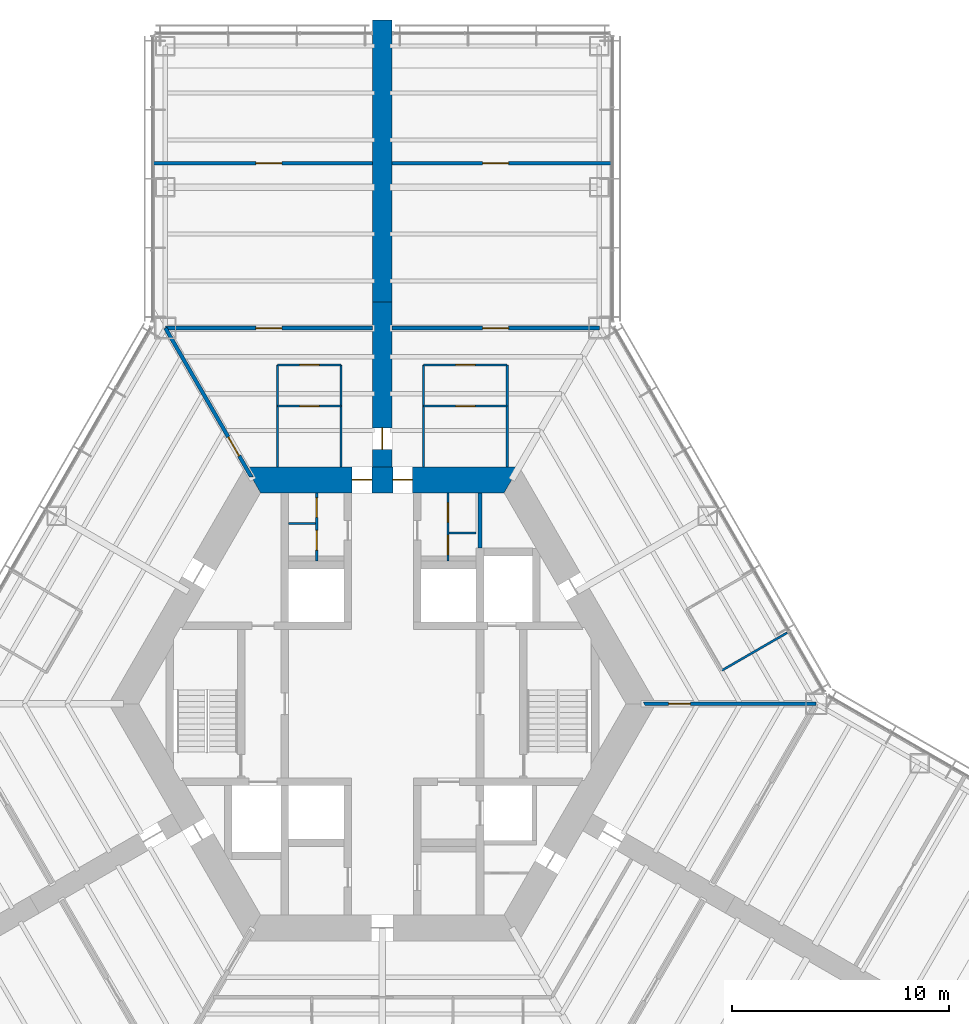
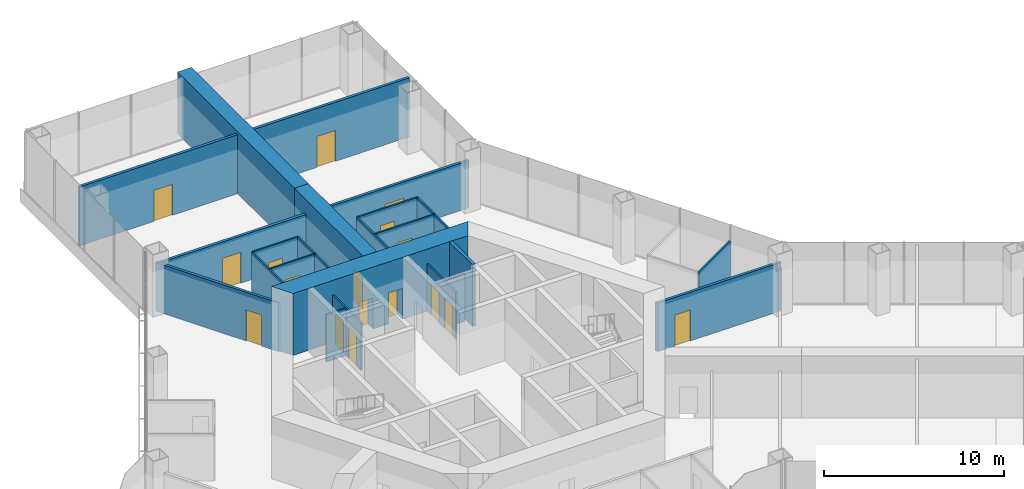
# One storey, part 13 of 16: 23 walls, 17 doors, 17 openings.
"""IFC4 building model written with IfcOpenShell, lengths in metres."""

from ifc_helpers import new_model, si_unit, direction, frame, frame_2d, origin, place, context, subcontext, project, spatial, polyline, rectangle, outline, extrude, material, layer, layer_set, type_object, element, fill, save


model = new_model("IFC4")

# Units and contexts
model_context = context("Model", 3, precision=1e-05, world=origin(), true_north=direction((0.0, 1.0)))
body_context = subcontext(model_context, "Body", "Model", "MODEL_VIEW")
ifc_project = project(units=[si_unit("LENGTHUNIT", "METRE"), si_unit("AREAUNIT", "SQUARE_METRE"), si_unit("VOLUMEUNIT", "CUBIC_METRE"), si_unit("PLANEANGLEUNIT", "RADIAN"), si_unit("MASSUNIT", "GRAM", prefix="KILO")], contexts=[model_context])

# Site, building, storey
site_placement = place(None, origin())
site = spatial("IfcSite", under=ifc_project, at=site_placement, CompositionType="ELEMENT")
building_placement = place(site_placement, origin())
building = spatial("IfcBuilding", under=site, at=building_placement, Name="Kasaneha Research Tower", CompositionType="ELEMENT")
storey_placement = place(building_placement, frame((0.0, 0.0, 22.60009765625)))
storey = spatial("IfcBuildingStorey", under=building, at=storey_placement, Name="L06", CompositionType="ELEMENT", Elevation=22.60009765625)

# Wall, openings, doors
ifc_material_1 = material(Name="Concrete Fc100", Category="concrete")
ifc_layer_1 = layer(ifc_material_1, 1.199951171875)
ifc_layer_set_1 = layer_set([ifc_layer_1], Name="Core wall 1200 Fc100")
wall_type_1 = type_object("IfcWallType", Name="Core wall 1200 Fc100", PredefinedType="SHEAR", material=ifc_layer_set_1)
wall_1_placement = place(storey_placement, frame((5.961181640625, 10.324951171875, 0.0), z_axis=(0.0, 0.0, 1.0), x_axis=(-1.0, 0.0, 0.0)))
wall_1 = element("IfcWall", 1, at=wall_1_placement, inside=storey, type_object=wall_type_1, Name="Core wall 090 L06", PredefinedType="SHEAR", context=body_context, shape_type="SweptSolid", body=[
    extrude(outline(polyline([(-0.346435546875, -0.60009765625), (4.57373046875, -0.60009765625), (5.4736328125, -0.60009765625), (6.44873046875, -0.60009765625), (7.3486328125, -0.60009765625), (12.268798828125, -0.60009765625), (11.575927734375, 0.60009765625), (7.3486328125, 0.60009765625), (6.44873046875, 0.60009765625), (5.4736328125, 0.60009765625), (4.57373046875, 0.60009765625), (0.346435546875, 0.60009765625), (-0.346435546875, -0.60009765625)])), origin(), (0.0, 0.0, 1.0), 4.199951171875),
])
opening_1_placement = place(wall_1_placement, frame((6.44873046875, 0.0, 0.0)))
opening_1 = element("IfcOpeningElement", 2, at=opening_1_placement, cuts=wall_1, Name="Opening L06-D01", PredefinedType="OPENING", context=body_context, shape_type="SweptSolid", body=[
    extrude(rectangle(XDim=0.89990234375, YDim=2.10009765625, at=frame_2d((0.449951171875, 1.050048828125))), frame((0.0, 0.60986328125, 0.0), z_axis=(0.0, -1.0, 0.0), x_axis=(1.0, 0.0, 0.0)), (0.0, 0.0, 1.0), 1.219970703125),
])
opening_2_placement = place(wall_1_placement, frame((4.57373046875, 0.0, 0.0)))
opening_2 = element("IfcOpeningElement", 3, at=opening_2_placement, cuts=wall_1, Name="Opening L06-D02", PredefinedType="OPENING", context=body_context, shape_type="SweptSolid", body=[
    extrude(rectangle(XDim=0.89990234375, YDim=2.10009765625, at=frame_2d((0.449951171875, 1.050048828125))), frame((0.0, 0.60986328125, 0.0), z_axis=(0.0, -1.0, 0.0), x_axis=(1.0, 0.0, 0.0)), (0.0, 0.0, 1.0), 1.219970703125),
])
ifc_material_2 = material(Name="Steel", Category="steel")
door_type_1 = type_object("IfcDoorType", Name="Toilet door FD20 900x2100", OperationType="NOTDEFINED", PredefinedType="DOOR", material=ifc_material_2)
door_1_placement = place(opening_1_placement, origin())
door_1 = element("IfcDoor", 4, at=door_1_placement, inside=storey, type_object=door_type_1, Name="Core door north 1 L06-D01", OperationType="SINGLE_SWING_RIGHT", OverallHeight=2.10009765625, OverallWidth=0.89990234375, PredefinedType="DOOR", context=body_context, shape_type="SweptSolid", body=[
    extrude(rectangle(XDim=0.89990234375, YDim=2.10009765625, at=frame_2d((0.449951171875, 1.050048828125))), frame((0.0, 0.02490234375, 0.0), z_axis=(0.0, -1.0, 0.0), x_axis=(1.0, 0.0, 0.0)), (0.0, 0.0, 1.0), 0.050048828125),
])
fill(opening_1, door_1)
door_2_placement = place(opening_2_placement, origin())
door_2 = element("IfcDoor", 5, at=door_2_placement, inside=storey, type_object=door_type_1, Name="Core door north 2 L06-D02", OperationType="SINGLE_SWING_LEFT", OverallHeight=2.10009765625, OverallWidth=0.89990234375, PredefinedType="DOOR", context=body_context, shape_type="SweptSolid", body=[
    extrude(rectangle(XDim=0.89990234375, YDim=2.10009765625, at=frame_2d((0.449951171875, 1.050048828125))), frame((0.0, 0.02490234375, 0.0), z_axis=(0.0, -1.0, 0.0), x_axis=(1.0, 0.0, 0.0)), (0.0, 0.0, 1.0), 0.050048828125),
])
fill(opening_2, door_2)

# Wall, opening, door
ifc_material_3 = material(Name="Gypsum board on steel studs, two layers each side", Category="steel")
ifc_layer_2 = layer(ifc_material_3, 0.175048828125)
ifc_layer_set_2 = layer_set([ifc_layer_2], Name="Laboratory fire partition 175")
wall_type_2 = type_object("IfcWallType", Name="Laboratory fire partition 175", PredefinedType="PARTITIONING", material=ifc_layer_set_2)
wall_2_placement = place(storey_placement, frame((0.449951171875, 17.320556640625, 0.0), z_axis=(0.0, 0.0, 1.0), x_axis=(1.0, 0.0, 0.0)))
wall_2 = element("IfcWall", 6, at=wall_2_placement, inside=storey, type_object=wall_type_2, Name="Laboratory fire partition LABA-E L06", PredefinedType="PARTITIONING", context=body_context, shape_type="SweptSolid", body=[
    extrude(rectangle(XDim=9.550048828125, YDim=0.175048828125, at=frame_2d((4.77490234375, 0.0))), origin(), (0.0, 0.0, 1.0), 3.2080078125),
])
opening_3_placement = place(wall_2_placement, frame((4.175048828125, 0.0, 0.0)))
opening_3 = element("IfcOpeningElement", 7, at=opening_3_placement, cuts=wall_2, Name="Opening L06-D30", PredefinedType="OPENING", context=body_context, shape_type="SweptSolid", body=[
    extrude(rectangle(XDim=1.199951171875, YDim=2.10009765625, at=frame_2d((0.60009765625, 1.050048828125))), frame((0.0, 0.09765625, 0.0), z_axis=(0.0, -1.0, 0.0), x_axis=(1.0, 0.0, 0.0)), (0.0, 0.0, 1.0), 0.195068359375),
])
ifc_material_4 = material(Name="Steel", Category="steel")
door_type_2 = type_object("IfcDoorType", Name="Laboratory door FD60 1200x2100", OperationType="DOUBLE_DOOR_SINGLE_SWING", PredefinedType="DOOR", material=ifc_material_4)
door_3_placement = place(opening_3_placement, origin())
door_3 = element("IfcDoor", 8, at=door_3_placement, inside=storey, type_object=door_type_2, Name="Laboratory door L06-D30", OperationType="DOUBLE_DOOR_SINGLE_SWING", OverallHeight=2.10009765625, OverallWidth=1.199951171875, PredefinedType="DOOR", context=body_context, shape_type="SweptSolid", body=[
    extrude(rectangle(XDim=1.199951171875, YDim=2.10009765625, at=frame_2d((0.60009765625, 1.050048828125))), frame((0.0, 0.02490234375, 0.0), z_axis=(0.0, -1.0, 0.0), x_axis=(1.0, 0.0, 0.0)), (0.0, 0.0, 1.0), 0.050048828125),
])
fill(opening_3, door_3)

wall_3_placement = place(storey_placement, frame((0.449951171875, 24.92041015625, 0.0), z_axis=(0.0, 0.0, 1.0), x_axis=(1.0, 0.0, 0.0)))
wall_3 = element("IfcWall", 9, at=wall_3_placement, inside=storey, type_object=wall_type_2, Name="Laboratory fire partition SUPA-E L06", PredefinedType="PARTITIONING", context=body_context, shape_type="SweptSolid", body=[
    extrude(rectangle(XDim=10.135009765625, YDim=0.175048828125, at=frame_2d((5.0673828125, 0.0))), origin(), (0.0, 0.0, 1.0), 4.0),
])
opening_4_placement = place(wall_3_placement, frame((4.175048828125, 0.0, 0.0)))
opening_4 = element("IfcOpeningElement", 10, at=opening_4_placement, cuts=wall_3, Name="Opening L06-D32", PredefinedType="OPENING", context=body_context, shape_type="SweptSolid", body=[
    extrude(rectangle(XDim=1.199951171875, YDim=2.10009765625, at=frame_2d((0.60009765625, 1.050048828125))), frame((0.0, 0.09765625, 0.0), z_axis=(0.0, -1.0, 0.0), x_axis=(1.0, 0.0, 0.0)), (0.0, 0.0, 1.0), 0.195068359375),
])
door_4_placement = place(opening_4_placement, origin())
door_4 = element("IfcDoor", 11, at=door_4_placement, inside=storey, type_object=door_type_2, Name="Laboratory support room door L06-D32", OperationType="DOUBLE_DOOR_SINGLE_SWING", OverallHeight=2.10009765625, OverallWidth=1.199951171875, PredefinedType="DOOR", context=body_context, shape_type="SweptSolid", body=[
    extrude(rectangle(XDim=1.199951171875, YDim=2.10009765625, at=frame_2d((0.60009765625, 1.050048828125))), frame((0.0, 0.02490234375, 0.0), z_axis=(0.0, -1.0, 0.0), x_axis=(1.0, 0.0, 0.0)), (0.0, 0.0, 1.0), 0.050048828125),
])
fill(opening_4, door_4)

wall_4_placement = place(storey_placement, frame((-0.449951171875, 17.320556640625, 0.0), z_axis=(0.0, 0.0, 1.0), x_axis=(-1.0, 0.0, 0.0)))
wall_4 = element("IfcWall", 12, at=wall_4_placement, inside=storey, type_object=wall_type_2, Name="Laboratory fire partition LABA-W L06", PredefinedType="PARTITIONING", context=body_context, shape_type="SweptSolid", body=[
    extrude(rectangle(XDim=9.550048828125, YDim=0.175048828125, at=frame_2d((4.77490234375, 0.0))), origin(), (0.0, 0.0, 1.0), 3.2080078125),
])
opening_5_placement = place(wall_4_placement, frame((4.175048828125, 0.0, 0.0)))
opening_5 = element("IfcOpeningElement", 13, at=opening_5_placement, cuts=wall_4, Name="Opening L06-D35", PredefinedType="OPENING", context=body_context, shape_type="SweptSolid", body=[
    extrude(rectangle(XDim=1.199951171875, YDim=2.10009765625, at=frame_2d((0.60009765625, 1.050048828125))), frame((0.0, 0.09765625, 0.0), z_axis=(0.0, -1.0, 0.0), x_axis=(1.0, 0.0, 0.0)), (0.0, 0.0, 1.0), 0.195068359375),
])
door_5_placement = place(opening_5_placement, origin())
door_5 = element("IfcDoor", 14, at=door_5_placement, inside=storey, type_object=door_type_2, Name="Laboratory door L06-D35", OperationType="DOUBLE_DOOR_SINGLE_SWING", OverallHeight=2.10009765625, OverallWidth=1.199951171875, PredefinedType="DOOR", context=body_context, shape_type="SweptSolid", body=[
    extrude(rectangle(XDim=1.199951171875, YDim=2.10009765625, at=frame_2d((0.60009765625, 1.050048828125))), frame((0.0, 0.02490234375, 0.0), z_axis=(0.0, -1.0, 0.0), x_axis=(1.0, 0.0, 0.0)), (0.0, 0.0, 1.0), 0.050048828125),
])
fill(opening_5, door_5)

wall_5_placement = place(storey_placement, frame((-0.449951171875, 24.92041015625, 0.0), z_axis=(0.0, 0.0, 1.0), x_axis=(-1.0, 0.0, 0.0)))
wall_5 = element("IfcWall", 15, at=wall_5_placement, inside=storey, type_object=wall_type_2, Name="Laboratory fire partition SUPA-W L06", PredefinedType="PARTITIONING", context=body_context, shape_type="SweptSolid", body=[
    extrude(rectangle(XDim=10.135009765625, YDim=0.175048828125, at=frame_2d((5.0673828125, 0.0))), origin(), (0.0, 0.0, 1.0), 4.0),
])
opening_6_placement = place(wall_5_placement, frame((4.175048828125, 0.0, 0.0)))
opening_6 = element("IfcOpeningElement", 16, at=opening_6_placement, cuts=wall_5, Name="Opening L06-D36", PredefinedType="OPENING", context=body_context, shape_type="SweptSolid", body=[
    extrude(rectangle(XDim=1.199951171875, YDim=2.10009765625, at=frame_2d((0.60009765625, 1.050048828125))), frame((0.0, 0.09765625, 0.0), z_axis=(0.0, -1.0, 0.0), x_axis=(1.0, 0.0, 0.0)), (0.0, 0.0, 1.0), 0.195068359375),
])
door_6_placement = place(opening_6_placement, origin())
door_6 = element("IfcDoor", 17, at=door_6_placement, inside=storey, type_object=door_type_2, Name="Laboratory support room door L06-D36", OperationType="DOUBLE_DOOR_SINGLE_SWING", OverallHeight=2.10009765625, OverallWidth=1.199951171875, PredefinedType="DOOR", context=body_context, shape_type="SweptSolid", body=[
    extrude(rectangle(XDim=1.199951171875, YDim=2.10009765625, at=frame_2d((0.60009765625, 1.050048828125))), frame((0.0, 0.02490234375, 0.0), z_axis=(0.0, -1.0, 0.0), x_axis=(1.0, 0.0, 0.0)), (0.0, 0.0, 1.0), 0.050048828125),
])
fill(opening_6, door_6)

# Wall, openings, doors
ifc_material_5 = material(Name="Gypsum board on steel studs, one layer each side", Category="steel")
ifc_layer_3 = layer(ifc_material_5, 0.10009765625)
ifc_layer_set_3 = layer_set([ifc_layer_3], Name="Office partition 100")
wall_type_3 = type_object("IfcWallType", Name="Office partition 100", PredefinedType="PARTITIONING", material=ifc_layer_set_3)
wall_6_placement = place(storey_placement, frame((-3.02490234375, 6.574951171875, 0.0), z_axis=(0.0, 0.0, 1.0), x_axis=(0.0, 1.0, 0.0)))
wall_6 = element("IfcWall", 18, at=wall_6_placement, inside=storey, type_object=wall_type_3, Name="Office partition TBM1 L06", PredefinedType="PARTITIONING", context=body_context, shape_type="SweptSolid", body=[
    extrude(rectangle(XDim=3.150146484375, YDim=0.10009765625, at=frame_2d((1.5751953125, 0.0))), origin(), (0.0, 0.0, 1.0), 3.199951171875),
])
opening_7_placement = place(wall_6_placement, frame((2.014892578125, 0.0, 0.0)))
opening_7 = element("IfcOpeningElement", 19, at=opening_7_placement, cuts=wall_6, Name="Opening L06-D20", PredefinedType="OPENING", context=body_context, shape_type="SweptSolid", body=[
    extrude(rectangle(XDim=0.89990234375, YDim=2.10009765625, at=frame_2d((0.449951171875, 1.050048828125))), frame((0.0, 0.06005859375, 0.0), z_axis=(0.0, -1.0, 0.0), x_axis=(1.0, 0.0, 0.0)), (0.0, 0.0, 1.0), 0.1201171875),
])
opening_8_placement = place(wall_6_placement, frame((0.514892578125, 0.0, 0.0)))
opening_8 = element("IfcOpeningElement", 20, at=opening_8_placement, cuts=wall_6, Name="Opening L06-D21", PredefinedType="OPENING", context=body_context, shape_type="SweptSolid", body=[
    extrude(rectangle(XDim=0.89990234375, YDim=2.10009765625, at=frame_2d((0.449951171875, 1.050048828125))), frame((0.0, 0.06005859375, 0.0), z_axis=(0.0, -1.0, 0.0), x_axis=(1.0, 0.0, 0.0)), (0.0, 0.0, 1.0), 0.1201171875),
])
ifc_material_6 = material(Name="Steel", Category="steel")
door_type_3 = type_object("IfcDoorType", Name="Toilet lobby door FD30 900x2100", OperationType="NOTDEFINED", PredefinedType="DOOR", material=ifc_material_6)
door_7_placement = place(opening_7_placement, origin())
door_7 = element("IfcDoor", 21, at=door_7_placement, inside=storey, type_object=door_type_3, Name="Men's WC door L06-D20", OperationType="SINGLE_SWING_RIGHT", OverallHeight=2.10009765625, OverallWidth=0.89990234375, PredefinedType="DOOR", context=body_context, shape_type="SweptSolid", body=[
    extrude(rectangle(XDim=0.89990234375, YDim=2.10009765625, at=frame_2d((0.449951171875, 1.050048828125))), frame((0.0, 0.02490234375, 0.0), z_axis=(0.0, -1.0, 0.0), x_axis=(1.0, 0.0, 0.0)), (0.0, 0.0, 1.0), 0.050048828125),
])
fill(opening_7, door_7)
door_8_placement = place(opening_8_placement, origin())
door_8 = element("IfcDoor", 22, at=door_8_placement, inside=storey, type_object=door_type_3, Name="Shower room door L06-D21", OperationType="SINGLE_SWING_RIGHT", OverallHeight=2.10009765625, OverallWidth=0.89990234375, PredefinedType="DOOR", context=body_context, shape_type="SweptSolid", body=[
    extrude(rectangle(XDim=0.89990234375, YDim=2.10009765625, at=frame_2d((0.449951171875, 1.050048828125))), frame((0.0, 0.02490234375, 0.0), z_axis=(0.0, -1.0, 0.0), x_axis=(1.0, 0.0, 0.0)), (0.0, 0.0, 1.0), 0.050048828125),
])
fill(opening_8, door_8)

# Wall
wall_7_placement = place(storey_placement, frame((-3.074951171875, 8.304931640625, 0.0), z_axis=(0.0, 0.0, 1.0), x_axis=(-1.0, 0.0, 0.0)))
element("IfcWall", 23, at=wall_7_placement, inside=storey, type_object=wall_type_3, Name="Office partition TBM2 L06", PredefinedType="PARTITIONING", context=body_context, shape_type="SweptSolid", body=[
    extrude(rectangle(XDim=1.25, YDim=0.10009765625, at=frame_2d((0.625, 0.0))), origin(), (0.0, 0.0, 1.0), 3.199951171875),
])

# Wall, openings, doors
wall_8_placement = place(storey_placement, frame((3.02490234375, 6.574951171875, 0.0), z_axis=(0.0, 0.0, 1.0), x_axis=(0.0, 1.0, 0.0)))
wall_8 = element("IfcWall", 24, at=wall_8_placement, inside=storey, type_object=wall_type_3, Name="Office partition TBF1 L06", PredefinedType="PARTITIONING", context=body_context, shape_type="SweptSolid", body=[
    extrude(rectangle(XDim=3.150146484375, YDim=0.10009765625, at=frame_2d((1.5751953125, 0.0))), origin(), (0.0, 0.0, 1.0), 3.199951171875),
])
opening_9_placement = place(wall_8_placement, frame((1.800048828125, 0.0, 0.0)))
opening_9 = element("IfcOpeningElement", 25, at=opening_9_placement, cuts=wall_8, Name="Opening L06-D22", PredefinedType="OPENING", context=body_context, shape_type="SweptSolid", body=[
    extrude(rectangle(XDim=0.89990234375, YDim=2.10009765625, at=frame_2d((0.449951171875, 1.050048828125))), frame((0.0, 0.06005859375, 0.0), z_axis=(0.0, -1.0, 0.0), x_axis=(1.0, 0.0, 0.0)), (0.0, 0.0, 1.0), 0.1201171875),
])
opening_10_placement = place(wall_8_placement, frame((0.300048828125, 0.0, 0.0)))
opening_10 = element("IfcOpeningElement", 26, at=opening_10_placement, cuts=wall_8, Name="Opening L06-D23", PredefinedType="OPENING", context=body_context, shape_type="SweptSolid", body=[
    extrude(rectangle(XDim=0.89990234375, YDim=2.10009765625, at=frame_2d((0.449951171875, 1.050048828125))), frame((0.0, 0.06005859375, 0.0), z_axis=(0.0, -1.0, 0.0), x_axis=(1.0, 0.0, 0.0)), (0.0, 0.0, 1.0), 0.1201171875),
])
door_9_placement = place(opening_9_placement, origin())
door_9 = element("IfcDoor", 27, at=door_9_placement, inside=storey, type_object=door_type_3, Name="Women's WC door L06-D22", OperationType="SINGLE_SWING_RIGHT", OverallHeight=2.10009765625, OverallWidth=0.89990234375, PredefinedType="DOOR", context=body_context, shape_type="SweptSolid", body=[
    extrude(rectangle(XDim=0.89990234375, YDim=2.10009765625, at=frame_2d((0.449951171875, 1.050048828125))), frame((0.0, 0.02490234375, 0.0), z_axis=(0.0, -1.0, 0.0), x_axis=(1.0, 0.0, 0.0)), (0.0, 0.0, 1.0), 0.050048828125),
])
fill(opening_9, door_9)
door_10_placement = place(opening_10_placement, origin())
door_10 = element("IfcDoor", 28, at=door_10_placement, inside=storey, type_object=door_type_3, Name="Cleaner's store door L06-D23", OperationType="SINGLE_SWING_RIGHT", OverallHeight=2.10009765625, OverallWidth=0.89990234375, PredefinedType="DOOR", context=body_context, shape_type="SweptSolid", body=[
    extrude(rectangle(XDim=0.89990234375, YDim=2.10009765625, at=frame_2d((0.449951171875, 1.050048828125))), frame((0.0, 0.02490234375, 0.0), z_axis=(0.0, -1.0, 0.0), x_axis=(1.0, 0.0, 0.0)), (0.0, 0.0, 1.0), 0.050048828125),
])
fill(opening_10, door_10)

# Wall
wall_9_placement = place(storey_placement, frame((3.074951171875, 7.875, 0.0), z_axis=(0.0, 0.0, 1.0), x_axis=(1.0, 0.0, 0.0)))
element("IfcWall", 29, at=wall_9_placement, inside=storey, type_object=wall_type_3, Name="Office partition TBF2 L06", PredefinedType="PARTITIONING", context=body_context, shape_type="SweptSolid", body=[
    extrude(rectangle(XDim=1.25, YDim=0.10009765625, at=frame_2d((0.625, 0.0))), origin(), (0.0, 0.0, 1.0), 3.199951171875),
])

# Wall, opening, door
wall_10_placement = place(storey_placement, frame((1.89990234375, 13.72509765625, 0.0), z_axis=(0.0, 0.0, 1.0), x_axis=(1.0, 0.0, 0.0)))
wall_10 = element("IfcWall", 30, at=wall_10_placement, inside=storey, type_object=wall_type_3, Name="Office partition WCAE1 L06", PredefinedType="PARTITIONING", context=body_context, shape_type="SweptSolid", body=[
    extrude(rectangle(XDim=3.857177734375, YDim=0.10009765625, at=frame_2d((1.9287109375, 0.0))), origin(), (0.0, 0.0, 1.0), 3.199951171875),
])
opening_11_placement = place(wall_10_placement, frame((1.478515625, 0.0, 0.0)))
opening_11 = element("IfcOpeningElement", 31, at=opening_11_placement, cuts=wall_10, Name="Opening L06-D28", PredefinedType="OPENING", context=body_context, shape_type="SweptSolid", body=[
    extrude(rectangle(XDim=0.89990234375, YDim=2.10009765625, at=frame_2d((0.449951171875, 1.050048828125))), frame((0.0, 0.06005859375, 0.0), z_axis=(0.0, -1.0, 0.0), x_axis=(1.0, 0.0, 0.0)), (0.0, 0.0, 1.0), 0.1201171875),
])
door_11_placement = place(opening_11_placement, origin())
door_11 = element("IfcDoor", 32, at=door_11_placement, inside=storey, type_object=door_type_3, Name="Women's WC door L06-D28", OperationType="SINGLE_SWING_RIGHT", OverallHeight=2.10009765625, OverallWidth=0.89990234375, PredefinedType="DOOR", context=body_context, shape_type="SweptSolid", body=[
    extrude(rectangle(XDim=0.89990234375, YDim=2.10009765625, at=frame_2d((0.449951171875, 1.050048828125))), frame((0.0, 0.02490234375, 0.0), z_axis=(0.0, -1.0, 0.0), x_axis=(1.0, 0.0, 0.0)), (0.0, 0.0, 1.0), 0.050048828125),
])
fill(opening_11, door_11)

wall_11_placement = place(storey_placement, frame((1.89990234375, 15.625, 0.0), z_axis=(0.0, 0.0, 1.0), x_axis=(1.0, 0.0, 0.0)))
wall_11 = element("IfcWall", 33, at=wall_11_placement, inside=storey, type_object=wall_type_3, Name="Office partition WCAE4 L06", PredefinedType="PARTITIONING", context=body_context, shape_type="SweptSolid", body=[
    extrude(rectangle(XDim=3.857177734375, YDim=0.10009765625, at=frame_2d((1.9287109375, 0.0))), origin(), (0.0, 0.0, 1.0), 3.199951171875),
])
opening_12_placement = place(wall_11_placement, frame((1.478515625, 0.0, 0.0)))
opening_12 = element("IfcOpeningElement", 34, at=opening_12_placement, cuts=wall_11, Name="Opening L06-D29", PredefinedType="OPENING", context=body_context, shape_type="SweptSolid", body=[
    extrude(rectangle(XDim=0.89990234375, YDim=2.10009765625, at=frame_2d((0.449951171875, 1.050048828125))), frame((0.0, 0.06005859375, 0.0), z_axis=(0.0, -1.0, 0.0), x_axis=(1.0, 0.0, 0.0)), (0.0, 0.0, 1.0), 0.1201171875),
])
door_12_placement = place(opening_12_placement, origin())
door_12 = element("IfcDoor", 35, at=door_12_placement, inside=storey, type_object=door_type_3, Name="Toilet lobby door L06-D29", OperationType="SINGLE_SWING_RIGHT", OverallHeight=2.10009765625, OverallWidth=0.89990234375, PredefinedType="DOOR", context=body_context, shape_type="SweptSolid", body=[
    extrude(rectangle(XDim=0.89990234375, YDim=2.10009765625, at=frame_2d((0.449951171875, 1.050048828125))), frame((0.0, 0.02490234375, 0.0), z_axis=(0.0, -1.0, 0.0), x_axis=(1.0, 0.0, 0.0)), (0.0, 0.0, 1.0), 0.050048828125),
])
fill(opening_12, door_12)

# Walls
for number, where, z_axis, x_axis, name in (
    (36, (1.89990234375, 10.925048828125, 0.0), (0.0, 0.0, 1.0), (0.0, 1.0, 0.0), "Office partition WCAE2 L06"),
    (37, (5.757080078125, 10.925048828125, 0.0), (0.0, 0.0, 1.0), (0.0, 1.0, 0.0), "Office partition WCAE3 L06"),
):
    element("IfcWall", number, at=place(storey_placement, frame(where, z_axis=z_axis, x_axis=x_axis)), inside=storey, type_object=wall_type_3, Name=name, PredefinedType="PARTITIONING", context=body_context, shape_type="SweptSolid", body=[
        extrude(rectangle(XDim=4.699951171875, YDim=0.10009765625, at=frame_2d((2.35009765625, 0.0))), origin(), (0.0, 0.0, 1.0), 3.199951171875),
    ])
wall_12_placement = place(storey_placement, frame((18.662109375, 3.27734375, 0.0), z_axis=(0.0, 0.0, 1.0), x_axis=(-0.866037222451, -0.499979528911, 0.0)))
element("IfcWall", 38, at=wall_12_placement, inside=storey, type_object=wall_type_3, Name="Office partition FAE03 L06", PredefinedType="PARTITIONING", context=body_context, shape_type="SweptSolid", body=[
    extrude(rectangle(XDim=3.480224609375, YDim=0.10009765625, at=frame_2d((1.740234375, 0.0))), origin(), (0.0, 0.0, 1.0), 3.199951171875),
])

# Wall, opening, door
wall_13_placement = place(storey_placement, frame((-4.82861328125, 13.72509765625, 0.0), z_axis=(0.0, 0.0, 1.0), x_axis=(1.0, 0.0, 0.0)))
wall_13 = element("IfcWall", 39, at=wall_13_placement, inside=storey, type_object=wall_type_3, Name="Office partition WCAW1 L06", PredefinedType="PARTITIONING", context=body_context, shape_type="SweptSolid", body=[
    extrude(rectangle(XDim=2.9287109375, YDim=0.10009765625, at=frame_2d((1.46435546875, 0.0))), origin(), (0.0, 0.0, 1.0), 3.199951171875),
])
opening_13_placement = place(wall_13_placement, frame((1.01416015625, 0.0, 0.0)))
opening_13 = element("IfcOpeningElement", 40, at=opening_13_placement, cuts=wall_13, Name="Opening L06-D33", PredefinedType="OPENING", context=body_context, shape_type="SweptSolid", body=[
    extrude(rectangle(XDim=0.89990234375, YDim=2.10009765625, at=frame_2d((0.449951171875, 1.050048828125))), frame((0.0, 0.06005859375, 0.0), z_axis=(0.0, -1.0, 0.0), x_axis=(1.0, 0.0, 0.0)), (0.0, 0.0, 1.0), 0.1201171875),
])
door_13_placement = place(opening_13_placement, origin())
door_13 = element("IfcDoor", 41, at=door_13_placement, inside=storey, type_object=door_type_3, Name="Men's WC door L06-D33", OperationType="SINGLE_SWING_LEFT", OverallHeight=2.10009765625, OverallWidth=0.89990234375, PredefinedType="DOOR", context=body_context, shape_type="SweptSolid", body=[
    extrude(rectangle(XDim=0.89990234375, YDim=2.10009765625, at=frame_2d((0.449951171875, 1.050048828125))), frame((0.0, 0.02490234375, 0.0), z_axis=(0.0, -1.0, 0.0), x_axis=(1.0, 0.0, 0.0)), (0.0, 0.0, 1.0), 0.050048828125),
])
fill(opening_13, door_13)

wall_14_placement = place(storey_placement, frame((-4.82861328125, 15.625, 0.0), z_axis=(0.0, 0.0, 1.0), x_axis=(1.0, 0.0, 0.0)))
wall_14 = element("IfcWall", 42, at=wall_14_placement, inside=storey, type_object=wall_type_3, Name="Office partition WCAW4 L06", PredefinedType="PARTITIONING", context=body_context, shape_type="SweptSolid", body=[
    extrude(rectangle(XDim=2.9287109375, YDim=0.10009765625, at=frame_2d((1.46435546875, 0.0))), origin(), (0.0, 0.0, 1.0), 3.199951171875),
])
opening_14_placement = place(wall_14_placement, frame((1.01416015625, 0.0, 0.0)))
opening_14 = element("IfcOpeningElement", 43, at=opening_14_placement, cuts=wall_14, Name="Opening L06-D34", PredefinedType="OPENING", context=body_context, shape_type="SweptSolid", body=[
    extrude(rectangle(XDim=0.89990234375, YDim=2.10009765625, at=frame_2d((0.449951171875, 1.050048828125))), frame((0.0, 0.06005859375, 0.0), z_axis=(0.0, -1.0, 0.0), x_axis=(1.0, 0.0, 0.0)), (0.0, 0.0, 1.0), 0.1201171875),
])
door_14_placement = place(opening_14_placement, origin())
door_14 = element("IfcDoor", 44, at=door_14_placement, inside=storey, type_object=door_type_3, Name="Toilet lobby door L06-D34", OperationType="SINGLE_SWING_LEFT", OverallHeight=2.10009765625, OverallWidth=0.89990234375, PredefinedType="DOOR", context=body_context, shape_type="SweptSolid", body=[
    extrude(rectangle(XDim=0.89990234375, YDim=2.10009765625, at=frame_2d((0.449951171875, 1.050048828125))), frame((0.0, 0.02490234375, 0.0), z_axis=(0.0, -1.0, 0.0), x_axis=(1.0, 0.0, 0.0)), (0.0, 0.0, 1.0), 0.050048828125),
])
fill(opening_14, door_14)

# Walls
for number, where, z_axis, x_axis, name in (
    (45, (-1.89990234375, 10.925048828125, 0.0), (0.0, 0.0, 1.0), (0.0, 1.0, 0.0), "Office partition WCAW2 L06"),
    (46, (-4.82861328125, 10.925048828125, 0.0), (0.0, 0.0, 1.0), (0.0, 1.0, 0.0), "Office partition WCAW3 L06"),
):
    element("IfcWall", number, at=place(storey_placement, frame(where, z_axis=z_axis, x_axis=x_axis)), inside=storey, type_object=wall_type_3, Name=name, PredefinedType="PARTITIONING", context=body_context, shape_type="SweptSolid", body=[
        extrude(rectangle(XDim=4.699951171875, YDim=0.10009765625, at=frame_2d((2.35009765625, 0.0))), origin(), (0.0, 0.0, 1.0), 3.199951171875),
    ])
ifc_material_7 = material(Name="Concrete block", Category="concrete")
ifc_layer_4 = layer(ifc_material_7, 0.199951171875)
ifc_layer_set_4 = layer_set([ifc_layer_4], Name="Riser enclosure wall 200")
wall_type_4 = type_object("IfcWallType", Name="Riser enclosure wall 200", PredefinedType="STANDARD", material=ifc_layer_set_4)
wall_15_placement = place(storey_placement, frame((4.5, 7.175048828125, 0.0), z_axis=(0.0, 0.0, 1.0), x_axis=(0.0, 1.0, 0.0)))
element("IfcWall", 47, at=wall_15_placement, inside=storey, type_object=wall_type_4, Name="Riser enclosure wall L06", PredefinedType="STANDARD", context=body_context, shape_type="SweptSolid", body=[
    extrude(rectangle(XDim=2.550048828125, YDim=0.199951171875, at=frame_2d((1.27490234375, 0.0))), origin(), (0.0, 0.0, 1.0), 4.199951171875),
])

# Wall, opening, door
ifc_material_8 = material(Name="Concrete Fc100", Category="concrete")
ifc_layer_5 = layer(ifc_material_8, 0.89990234375)
ifc_layer_set_5 = layer_set([ifc_layer_5], Name="Spine wall 900 Fc100")
wall_type_5 = type_object("IfcWallType", Name="Spine wall 900 Fc100", PredefinedType="SHEAR", material=ifc_layer_set_5)
wall_16_placement = place(storey_placement, frame((0.0, 10.925048828125, 0.0), z_axis=(0.0, 0.0, 1.0), x_axis=(0.0, 1.0, 0.0)))
wall_16 = element("IfcWall", 48, at=wall_16_placement, inside=storey, type_object=wall_type_5, Name="Spine wall A L06", PredefinedType="SHEAR", context=body_context, shape_type="SweptSolid", body=[
    extrude(rectangle(XDim=7.595458984375, YDim=0.89990234375, at=frame_2d((3.7978515625, 0.0))), origin(), (0.0, 0.0, 1.0), 4.199951171875),
])
opening_15_placement = place(wall_16_placement, frame((0.800048828125, 0.0, 0.0)))
opening_15 = element("IfcOpeningElement", 49, at=opening_15_placement, cuts=wall_16, Name="Opening L06-D17", PredefinedType="OPENING", context=body_context, shape_type="SweptSolid", body=[
    extrude(rectangle(XDim=1.0, YDim=2.10009765625, at=frame_2d((0.5, 1.050048828125))), frame((0.0, 0.4599609375, 0.0), z_axis=(0.0, -1.0, 0.0), x_axis=(1.0, 0.0, 0.0)), (0.0, 0.0, 1.0), 0.919921875),
])
ifc_material_9 = material(Name="Steel", Category="steel")
door_type_4 = type_object("IfcDoorType", Name="Specified fire door FD60 1000x2100", OperationType="NOTDEFINED", PredefinedType="DOOR", material=ifc_material_9)
door_15_placement = place(opening_15_placement, origin())
door_15 = element("IfcDoor", 50, at=door_15_placement, inside=storey, type_object=door_type_4, Name="Spine doorway A L06-D17", OperationType="SINGLE_SWING_LEFT", OverallHeight=2.10009765625, OverallWidth=1.0, PredefinedType="DOOR", context=body_context, shape_type="SweptSolid", body=[
    extrude(rectangle(XDim=1.0, YDim=2.10009765625, at=frame_2d((0.5, 1.050048828125))), frame((0.0, 0.02490234375, 0.0), z_axis=(0.0, -1.0, 0.0), x_axis=(1.0, 0.0, 0.0)), (0.0, 0.0, 1.0), 0.050048828125),
])
fill(opening_15, door_15)

# Wall
wall_17_placement = place(storey_placement, frame((0.0, 18.5205078125, 0.0), z_axis=(0.0, 0.0, 1.0), x_axis=(0.0, 1.0, 0.0)))
element("IfcWall", 51, at=wall_17_placement, inside=storey, type_object=wall_type_5, Name="Spine wall A wing L06", PredefinedType="SHEAR", context=body_context, shape_type="SweptSolid", body=[
    extrude(rectangle(XDim=13.0, YDim=0.89990234375, at=frame_2d((6.5, 0.0))), origin(), (0.0, 0.0, 1.0), 4.199951171875),
])

# Wall, opening, door
ifc_material_10 = material(Name="Gypsum board on steel studs, two layers each side", Category="steel")
ifc_layer_6 = layer(ifc_material_10, 0.175048828125)
ifc_layer_set_6 = layer_set([ifc_layer_6], Name="Tenancy fire partition 175")
wall_type_6 = type_object("IfcWallType", Name="Tenancy fire partition 175", PredefinedType="PARTITIONING", material=ifc_layer_set_6)
wall_18_placement = place(storey_placement, frame((12.070068359375, 0.0, 0.0), z_axis=(0.0, 0.0, 1.0), x_axis=(1.0, 0.0, 0.0)))
wall_18 = element("IfcWall", 52, at=wall_18_placement, inside=storey, type_object=wall_type_6, Name="Tenancy fire partition T000 L06", PredefinedType="PARTITIONING", context=body_context, shape_type="SweptSolid", body=[
    extrude(outline(polyline([(0.050537109375, -0.08740234375), (1.12939453125, -0.08740234375), (2.12939453125, -0.08740234375), (7.929931640625, -0.08740234375), (7.929931640625, 0.08740234375), (2.12939453125, 0.08740234375), (1.12939453125, 0.08740234375), (-0.050537109375, 0.08740234375), (0.050537109375, -0.08740234375)])), origin(), (0.0, 0.0, 1.0), 3.2998046875),
])
opening_16_placement = place(wall_18_placement, frame((1.12939453125, 0.0, 0.0)))
opening_16 = element("IfcOpeningElement", 53, at=opening_16_placement, cuts=wall_18, Name="Opening L06-D25", PredefinedType="OPENING", context=body_context, shape_type="SweptSolid", body=[
    extrude(rectangle(XDim=1.0, YDim=2.10009765625, at=frame_2d((0.5, 1.050048828125))), frame((0.0, 0.09765625, 0.0), z_axis=(0.0, -1.0, 0.0), x_axis=(1.0, 0.0, 0.0)), (0.0, 0.0, 1.0), 0.195068359375),
])
ifc_material_11 = material(Name="Steel", Category="steel")
door_type_5 = type_object("IfcDoorType", Name="Suite entrance door FD60 1000x2100", OperationType="NOTDEFINED", PredefinedType="DOOR", material=ifc_material_11)
door_16_placement = place(opening_16_placement, origin())
door_16 = element("IfcDoor", 54, at=door_16_placement, inside=storey, type_object=door_type_5, Name="Connecting door L06-D25", OperationType="SINGLE_SWING_LEFT", OverallHeight=2.10009765625, OverallWidth=1.0, PredefinedType="DOOR", context=body_context, shape_type="SweptSolid", body=[
    extrude(rectangle(XDim=1.0, YDim=2.10009765625, at=frame_2d((0.5, 1.050048828125))), frame((0.0, 0.02490234375, 0.0), z_axis=(0.0, -1.0, 0.0), x_axis=(1.0, 0.0, 0.0)), (0.0, 0.0, 1.0), 0.050048828125),
])
fill(opening_16, door_16)

wall_19_placement = place(storey_placement, frame((-6.03515625, 10.453125, 0.0), z_axis=(0.0, 0.0, 1.0), x_axis=(-0.499993402427, 0.866029212861, 0.0)))
wall_19 = element("IfcWall", 55, at=wall_19_placement, inside=storey, type_object=wall_type_6, Name="Tenancy fire partition T120 L06", PredefinedType="PARTITIONING", context=body_context, shape_type="SweptSolid", body=[
    extrude(outline(polyline([(-0.050537109375, -0.08740234375), (1.12939453125, -0.08740234375), (2.12939453125, -0.08740234375), (7.9296875, -0.08740234375), (7.9296875, 0.08740234375), (2.12939453125, 0.08740234375), (1.12939453125, 0.08740234375), (0.050537109375, 0.08740234375), (-0.050537109375, -0.08740234375)])), origin(), (0.0, 0.0, 1.0), 3.2998046875),
])
opening_17_placement = place(wall_19_placement, frame((1.12939453125, 0.0, 0.0)))
opening_17 = element("IfcOpeningElement", 56, at=opening_17_placement, cuts=wall_19, Name="Opening L06-D26", PredefinedType="OPENING", context=body_context, shape_type="SweptSolid", body=[
    extrude(rectangle(XDim=1.0, YDim=2.10009765625, at=frame_2d((0.5, 1.050048828125))), frame((0.0, 0.09765625, 0.0), z_axis=(0.0, -1.0, 0.0), x_axis=(1.0, 0.0, 0.0)), (0.0, 0.0, 1.0), 0.195068359375),
])
door_17_placement = place(opening_17_placement, origin())
door_17 = element("IfcDoor", 57, at=door_17_placement, inside=storey, type_object=door_type_5, Name="Connecting door L06-D26", OperationType="SINGLE_SWING_LEFT", OverallHeight=2.10009765625, OverallWidth=1.0, PredefinedType="DOOR", context=body_context, shape_type="SweptSolid", body=[
    extrude(rectangle(XDim=1.0, YDim=2.10009765625, at=frame_2d((0.5, 1.050048828125))), frame((0.0, 0.02490234375, 0.0), z_axis=(0.0, -1.0, 0.0), x_axis=(1.0, 0.0, 0.0)), (0.0, 0.0, 1.0), 0.050048828125),
])
fill(opening_17, door_17)

save(model, "model.ifc")
